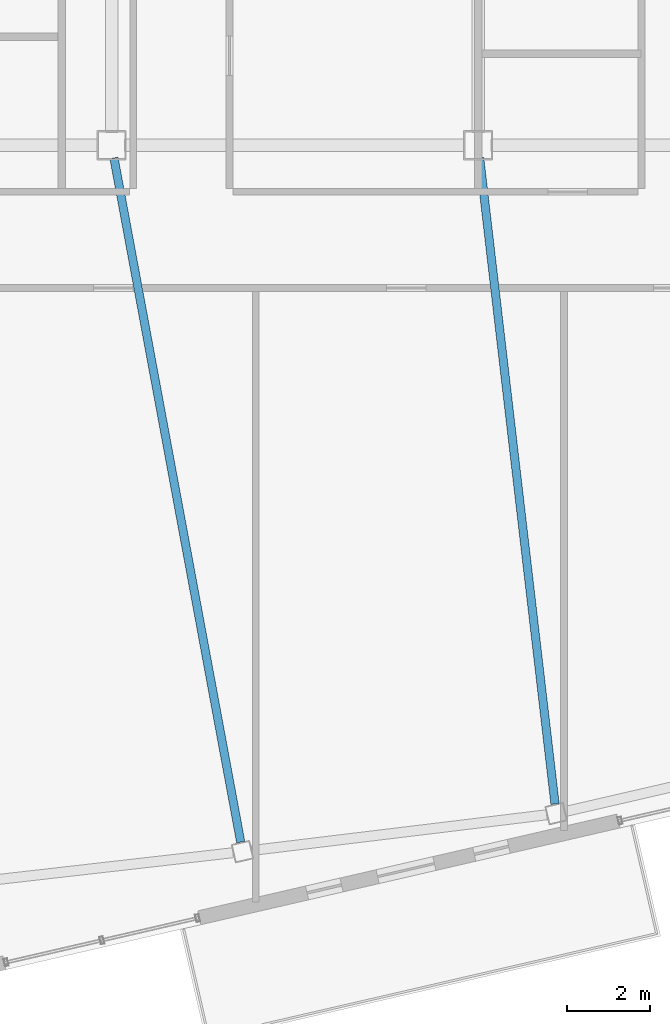
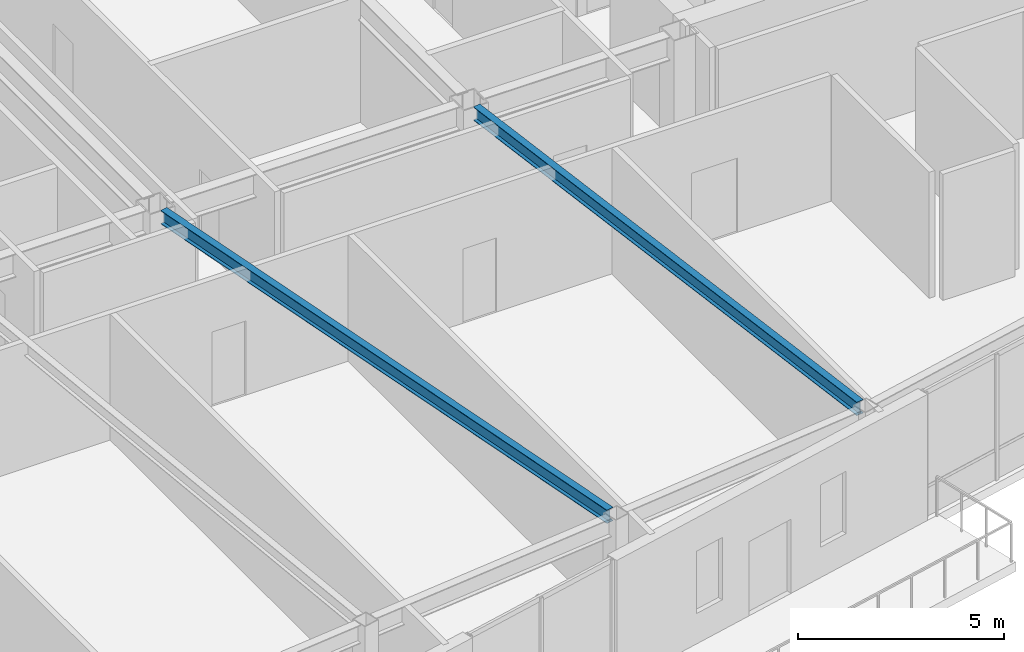
# One storey, part 9 of 24: 2 beams.
"""IFC4 building model written with IfcOpenShell, lengths in metres."""

from ifc_helpers import new_model, si_unit, direction, frame, origin, origin_2d, place, context, subcontext, project, spatial, i_section, extrude, material, material_profile, profile_set, type_object, element, save


model = new_model("IFC4")

# Units and contexts
model_context = context("Model", 3, precision=1e-05, world=origin(), true_north=direction((0.0, 1.0)))
body_context = subcontext(model_context, "Body", "Model", "MODEL_VIEW")
ifc_project = project(units=[si_unit("LENGTHUNIT", "METRE"), si_unit("AREAUNIT", "SQUARE_METRE"), si_unit("VOLUMEUNIT", "CUBIC_METRE"), si_unit("PLANEANGLEUNIT", "RADIAN"), si_unit("MASSUNIT", "GRAM", prefix="KILO")], contexts=[model_context])

# Site, building, storey
site_placement = place(None, origin())
site = spatial("IfcSite", under=ifc_project, at=site_placement, CompositionType="ELEMENT")
building_placement = place(site_placement, origin())
building = spatial("IfcBuilding", under=site, at=building_placement, Name="Tavrogorsk Clinical Tower", CompositionType="ELEMENT")
storey_placement = place(building_placement, frame((0.0, 0.0, 325.0)))
storey = spatial("IfcBuildingStorey", under=building, at=storey_placement, Name="L76", CompositionType="ELEMENT", Elevation=325.0)

# Beams
ifc_material = material(Name="Structural steel S355", Category="steel")
ifc_material_profile = material_profile(ifc_material, i_section(OverallWidth=0.199951171875, OverallDepth=0.39990234375, WebThickness=0.010498046875, FlangeThickness=0.01611328125, at=origin_2d()), Name="B-400x200x10.5x16")
ifc_profile_set = profile_set([ifc_material_profile], Name="Structural steel S355")
beam_type = type_object("IfcBeamType", Name="FloorBeam_B400", PredefinedType="BEAM", material=ifc_profile_set)
beam_1_placement = place(storey_placement, frame((-4.343505859375, -6.65478515625, 3.5400390625), z_axis=(0.182181887688, -0.98326484723, 0.0), x_axis=(0.98326484723, 0.182181887688, 0.0)))
element("IfcBeam", 1, at=beam_1_placement, inside=storey, type_object=beam_type, Name="L76 Radial Floor Beam S4", PredefinedType="BEAM", context=body_context, shape_type="SweptSolid", body=[
    extrude(i_section(OverallWidth=0.199951171875, OverallDepth=0.39990234375, WebThickness=0.010498046875, FlangeThickness=0.01611328125, at=origin_2d()), origin(), (0.0, 0.0, 1.0), 16.70556640625),
])
beam_2_placement = place(storey_placement, frame((4.43603515625, -6.657958984375, 3.5400390625), z_axis=(0.115903069025, -0.993260529061, 0.0), x_axis=(0.993260529061, 0.115903069025, 0.0)))
element("IfcBeam", 2, at=beam_2_placement, inside=storey, type_object=beam_type, Name="L76 Radial Floor Beam S5", PredefinedType="BEAM", context=body_context, shape_type="SweptSolid", body=[
    extrude(i_section(OverallWidth=0.199951171875, OverallDepth=0.39990234375, WebThickness=0.010498046875, FlangeThickness=0.01611328125, at=origin_2d()), origin(), (0.0, 0.0, 1.0), 15.61279296875),
])

save(model, "model.ifc")
